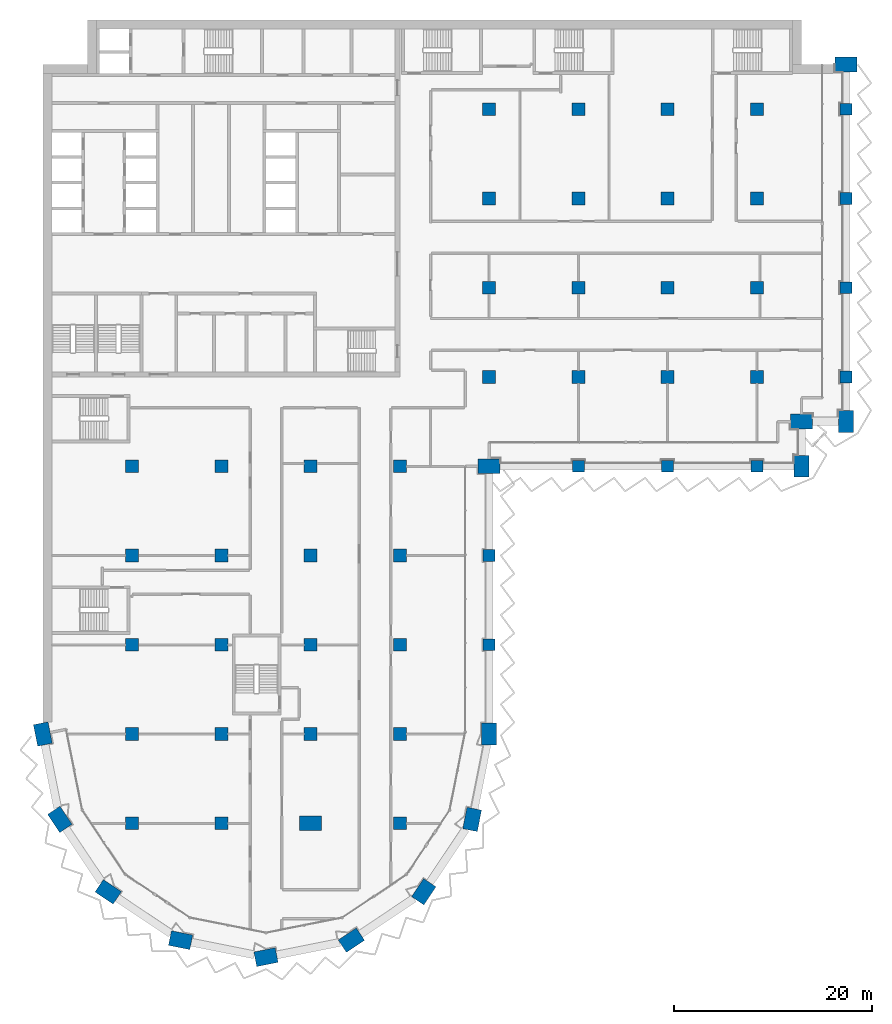
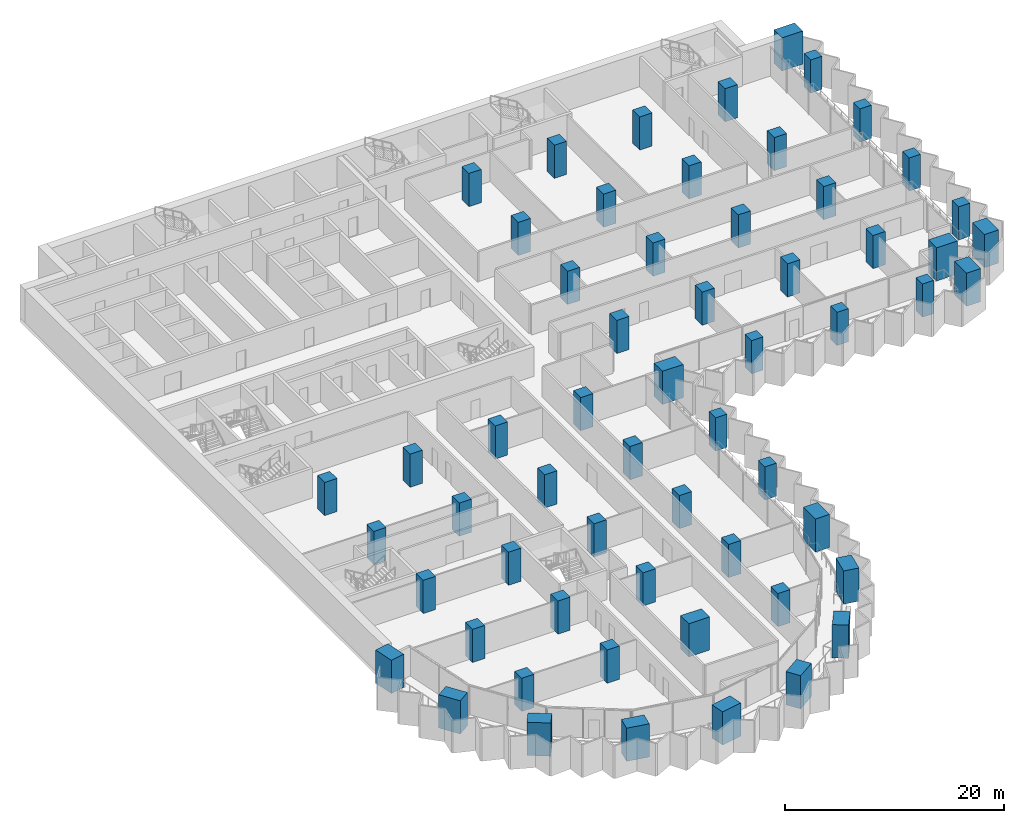
# One storey, part 1 of 23: 59 columns.
"""IFC4 building model written with IfcOpenShell, lengths in metres."""

from ifc_helpers import new_model, si_unit, direction, frame, origin, origin_2d, place, context, subcontext, project, spatial, rectangle, extrude, material, material_profile, profile_set, type_object, element, save


model = new_model("IFC4")

# Units and contexts
model_context = context("Model", 3, precision=1e-05, world=origin(), true_north=direction((0.0, 1.0)))
body_context = subcontext(model_context, "Body", "Model", "MODEL_VIEW")
ifc_project = project(units=[si_unit("LENGTHUNIT", "METRE"), si_unit("AREAUNIT", "SQUARE_METRE"), si_unit("VOLUMEUNIT", "CUBIC_METRE"), si_unit("PLANEANGLEUNIT", "RADIAN"), si_unit("MASSUNIT", "GRAM", prefix="KILO")], contexts=[model_context])

# Site, building, storey
site_placement = place(None, origin())
site = spatial("IfcSite", under=ifc_project, at=site_placement, CompositionType="ELEMENT")
building_placement = place(site_placement, origin())
building = spatial("IfcBuilding", under=site, at=building_placement, Name="Hunhe Ridgeline Campus", CompositionType="ELEMENT")
storey_placement = place(building_placement, frame((0.0, 0.0, 103.300048828125)))
storey = spatial("IfcBuildingStorey", under=building, at=storey_placement, Name="L25", CompositionType="ELEMENT", Elevation=103.300048828125)

# Columns
ifc_material = material(Name="Concrete C70", Category="concrete")
ifc_material_profile_1 = material_profile(ifc_material, rectangle(XDim=2.199951171875, YDim=1.5, at=origin_2d()))
ifc_profile_set_1 = profile_set([ifc_material_profile_1], Name="Concrete C70")
column_type_1 = type_object("IfcColumnType", Name="Megacolumn 2200x1500 Concrete C70", PredefinedType="COLUMN", material=ifc_profile_set_1)
for number, where, z_axis, x_axis, name in (
    (1, (22.5, 4.5, 0.0), (0.0, 0.0, 1.0), (0.980785280403, 0.195090322016, 0.0), "Column C6 R1 L25"),
    (2, (13.8896484375, 6.212646484375, 0.0), (0.0, 0.0, 1.0), (-0.980785280403, 0.195090322016, 0.0), "Column C6 R2 L25"),
    (3, (31.1103515625, 6.212646484375, 0.0), (0.0, 0.0, 1.0), (0.831469612303, 0.55557023302, 0.0), "Column C6 R3 L25"),
    (4, (6.590087890625, 11.090087890625, 0.0), (0.0, 0.0, 1.0), (-0.831469612303, 0.55557023302, 0.0), "Column C6 R4 L25"),
    (5, (38.409912109375, 11.090087890625, 0.0), (0.0, 0.0, 1.0), (0.55557023302, 0.831469612303, 0.0), "Column C6 R5 L25"),
    (6, (1.712646484375, 18.3896484375, 0.0), (0.0, 0.0, 1.0), (-0.55557023302, 0.831469612303, 0.0), "Column C6 R9 L25"),
    (7, (43.287353515625, 18.3896484375, 0.0), (0.0, 0.0, 1.0), (0.195090322016, 0.980785280403, 0.0), "Column C6 R10 L25"),
    (8, (0.0, 27.0, 0.0), (0.0, 0.0, 1.0), (-0.195090322016, 0.980785280403, 0.0), "Column C6 D1 L25"),
    (9, (45.0, 27.0, 0.0), (0.0, 0.0, 1.0), (0.0, 1.0, 0.0), "Column C6 D6 L25"),
    (10, (45.0, 54.0, 0.0), (0.0, 0.0, 1.0), (1.0, 0.0, 0.0), "Column C6 G6 L25"),
    (11, (76.5, 54.0, 0.0), (0.0, 0.0, 1.0), (0.0, 1.0, 0.0), "Column C6 R31 L25"),
    (12, (76.5, 58.5, 0.0), (0.0, 0.0, 1.0), (1.0, 0.0, 0.0), "Column C6 R37 L25"),
    (13, (81.0, 58.5, 0.0), (0.0, 0.0, 1.0), (0.0, 1.0, 0.0), "Column C6 R38 L25"),
    (14, (81.0, 94.5, 0.0), (0.0, 0.0, 1.0), (1.0, 0.0, 0.0), "Column C6 R43 L25"),
    (15, (27.0, 18.0, 0.0), (0.0, 0.0, 1.0), (1.0, 0.0, 0.0), "Column C6 C4 L25"),
):
    element("IfcColumn", number, at=place(storey_placement, frame(where, z_axis=z_axis, x_axis=x_axis)), inside=storey, type_object=column_type_1, Name=name, PredefinedType="COLUMN", context=body_context, shape_type="SweptSolid", body=[
        extrude(rectangle(XDim=2.199951171875, YDim=1.5, at=origin_2d()), origin(), (0.0, 0.0, 1.0), 3.699951171875),
    ])
ifc_material_profile_2 = material_profile(ifc_material, rectangle(XDim=1.199951171875, YDim=1.199951171875, at=origin_2d()))
ifc_profile_set_2 = profile_set([ifc_material_profile_2], Name="Concrete C70")
column_type_2 = type_object("IfcColumnType", Name="RC column 1200x1200 Concrete C70", PredefinedType="COLUMN", material=ifc_profile_set_2)
for number, where, z_axis, x_axis, name in (
    (16, (45.0, 36.0, 0.0), (0.0, 0.0, 1.0), (1.0, 0.0, 0.0), "Column C7 E6 L25"),
    (17, (45.0, 45.0, 0.0), (0.0, 0.0, 1.0), (1.0, 0.0, 0.0), "Column C7 F6 L25"),
    (18, (54.0, 54.0, 0.0), (0.0, 0.0, 1.0), (1.0, 0.0, 0.0), "Column C7 G7 L25"),
    (19, (63.0, 54.0, 0.0), (0.0, 0.0, 1.0), (1.0, 0.0, 0.0), "Column C7 G8 L25"),
    (20, (72.0, 54.0, 0.0), (0.0, 0.0, 1.0), (1.0, 0.0, 0.0), "Column C7 G9 L25"),
    (21, (81.0, 63.0, 0.0), (0.0, 0.0, 1.0), (1.0, 0.0, 0.0), "Column C7 H10 L25"),
    (22, (81.0, 72.0, 0.0), (0.0, 0.0, 1.0), (1.0, 0.0, 0.0), "Column C7 I10 L25"),
    (23, (81.0, 81.0, 0.0), (0.0, 0.0, 1.0), (1.0, 0.0, 0.0), "Column C7 J10 L25"),
    (24, (81.0, 90.0, 0.0), (0.0, 0.0, 1.0), (1.0, 0.0, 0.0), "Column C7 K10 L25"),
):
    element("IfcColumn", number, at=place(storey_placement, frame(where, z_axis=z_axis, x_axis=x_axis)), inside=storey, type_object=column_type_2, Name=name, PredefinedType="COLUMN", context=body_context, shape_type="SweptSolid", body=[
        extrude(rectangle(XDim=1.199951171875, YDim=1.199951171875, at=origin_2d()), origin(), (0.0, 0.0, 1.0), 3.699951171875),
    ])
ifc_material_profile_3 = material_profile(ifc_material, rectangle(XDim=1.300048828125, YDim=1.300048828125, at=origin_2d()))
ifc_profile_set_3 = profile_set([ifc_material_profile_3], Name="Concrete C70")
column_type_3 = type_object("IfcColumnType", Name="RC column 1300x1300 Concrete C70", PredefinedType="COLUMN", material=ifc_profile_set_3)
for number, where, z_axis, x_axis, name in (
    (25, (9.0, 18.0, 0.0), (0.0, 0.0, 1.0), (1.0, 0.0, 0.0), "Column C8 C2 L25"),
    (26, (9.0, 27.0, 0.0), (0.0, 0.0, 1.0), (1.0, 0.0, 0.0), "Column C8 D2 L25"),
    (27, (9.0, 36.0, 0.0), (0.0, 0.0, 1.0), (1.0, 0.0, 0.0), "Column C8 E2 L25"),
    (28, (9.0, 45.0, 0.0), (0.0, 0.0, 1.0), (1.0, 0.0, 0.0), "Column C8 F2 L25"),
    (29, (9.0, 54.0, 0.0), (0.0, 0.0, 1.0), (1.0, 0.0, 0.0), "Column C8 G2 L25"),
    (30, (18.0, 18.0, 0.0), (0.0, 0.0, 1.0), (1.0, 0.0, 0.0), "Column C8 C3 L25"),
    (31, (18.0, 27.0, 0.0), (0.0, 0.0, 1.0), (1.0, 0.0, 0.0), "Column C8 D3 L25"),
    (32, (18.0, 36.0, 0.0), (0.0, 0.0, 1.0), (1.0, 0.0, 0.0), "Column C8 E3 L25"),
    (33, (18.0, 45.0, 0.0), (0.0, 0.0, 1.0), (1.0, 0.0, 0.0), "Column C8 F3 L25"),
    (34, (18.0, 54.0, 0.0), (0.0, 0.0, 1.0), (1.0, 0.0, 0.0), "Column C8 G3 L25"),
    (35, (27.0, 27.0, 0.0), (0.0, 0.0, 1.0), (1.0, 0.0, 0.0), "Column C8 D4 L25"),
    (36, (27.0, 36.0, 0.0), (0.0, 0.0, 1.0), (1.0, 0.0, 0.0), "Column C8 E4 L25"),
    (37, (27.0, 45.0, 0.0), (0.0, 0.0, 1.0), (1.0, 0.0, 0.0), "Column C8 F4 L25"),
    (38, (27.0, 54.0, 0.0), (0.0, 0.0, 1.0), (1.0, 0.0, 0.0), "Column C8 G4 L25"),
    (39, (36.0, 18.0, 0.0), (0.0, 0.0, 1.0), (1.0, 0.0, 0.0), "Column C8 C5 L25"),
    (40, (36.0, 27.0, 0.0), (0.0, 0.0, 1.0), (1.0, 0.0, 0.0), "Column C8 D5 L25"),
    (41, (36.0, 36.0, 0.0), (0.0, 0.0, 1.0), (1.0, 0.0, 0.0), "Column C8 E5 L25"),
    (42, (36.0, 45.0, 0.0), (0.0, 0.0, 1.0), (1.0, 0.0, 0.0), "Column C8 F5 L25"),
    (43, (36.0, 54.0, 0.0), (0.0, 0.0, 1.0), (1.0, 0.0, 0.0), "Column C8 G5 L25"),
    (44, (45.0, 63.0, 0.0), (0.0, 0.0, 1.0), (1.0, 0.0, 0.0), "Column C8 H6 L25"),
    (45, (45.0, 72.0, 0.0), (0.0, 0.0, 1.0), (1.0, 0.0, 0.0), "Column C8 I6 L25"),
    (46, (45.0, 81.0, 0.0), (0.0, 0.0, 1.0), (1.0, 0.0, 0.0), "Column C8 J6 L25"),
    (47, (45.0, 90.0, 0.0), (0.0, 0.0, 1.0), (1.0, 0.0, 0.0), "Column C8 K6 L25"),
    (48, (54.0, 63.0, 0.0), (0.0, 0.0, 1.0), (1.0, 0.0, 0.0), "Column C8 H7 L25"),
    (49, (54.0, 72.0, 0.0), (0.0, 0.0, 1.0), (1.0, 0.0, 0.0), "Column C8 I7 L25"),
    (50, (54.0, 81.0, 0.0), (0.0, 0.0, 1.0), (1.0, 0.0, 0.0), "Column C8 J7 L25"),
    (51, (54.0, 90.0, 0.0), (0.0, 0.0, 1.0), (1.0, 0.0, 0.0), "Column C8 K7 L25"),
    (52, (63.0, 63.0, 0.0), (0.0, 0.0, 1.0), (1.0, 0.0, 0.0), "Column C8 H8 L25"),
    (53, (63.0, 72.0, 0.0), (0.0, 0.0, 1.0), (1.0, 0.0, 0.0), "Column C8 I8 L25"),
    (54, (63.0, 81.0, 0.0), (0.0, 0.0, 1.0), (1.0, 0.0, 0.0), "Column C8 J8 L25"),
    (55, (63.0, 90.0, 0.0), (0.0, 0.0, 1.0), (1.0, 0.0, 0.0), "Column C8 K8 L25"),
    (56, (72.0, 63.0, 0.0), (0.0, 0.0, 1.0), (1.0, 0.0, 0.0), "Column C8 H9 L25"),
    (57, (72.0, 72.0, 0.0), (0.0, 0.0, 1.0), (1.0, 0.0, 0.0), "Column C8 I9 L25"),
    (58, (72.0, 81.0, 0.0), (0.0, 0.0, 1.0), (1.0, 0.0, 0.0), "Column C8 J9 L25"),
    (59, (72.0, 90.0, 0.0), (0.0, 0.0, 1.0), (1.0, 0.0, 0.0), "Column C8 K9 L25"),
):
    element("IfcColumn", number, at=place(storey_placement, frame(where, z_axis=z_axis, x_axis=x_axis)), inside=storey, type_object=column_type_3, Name=name, PredefinedType="COLUMN", context=body_context, shape_type="SweptSolid", body=[
        extrude(rectangle(XDim=1.300048828125, YDim=1.300048828125, at=origin_2d()), origin(), (0.0, 0.0, 1.0), 3.699951171875),
    ])

save(model, "model.ifc")
